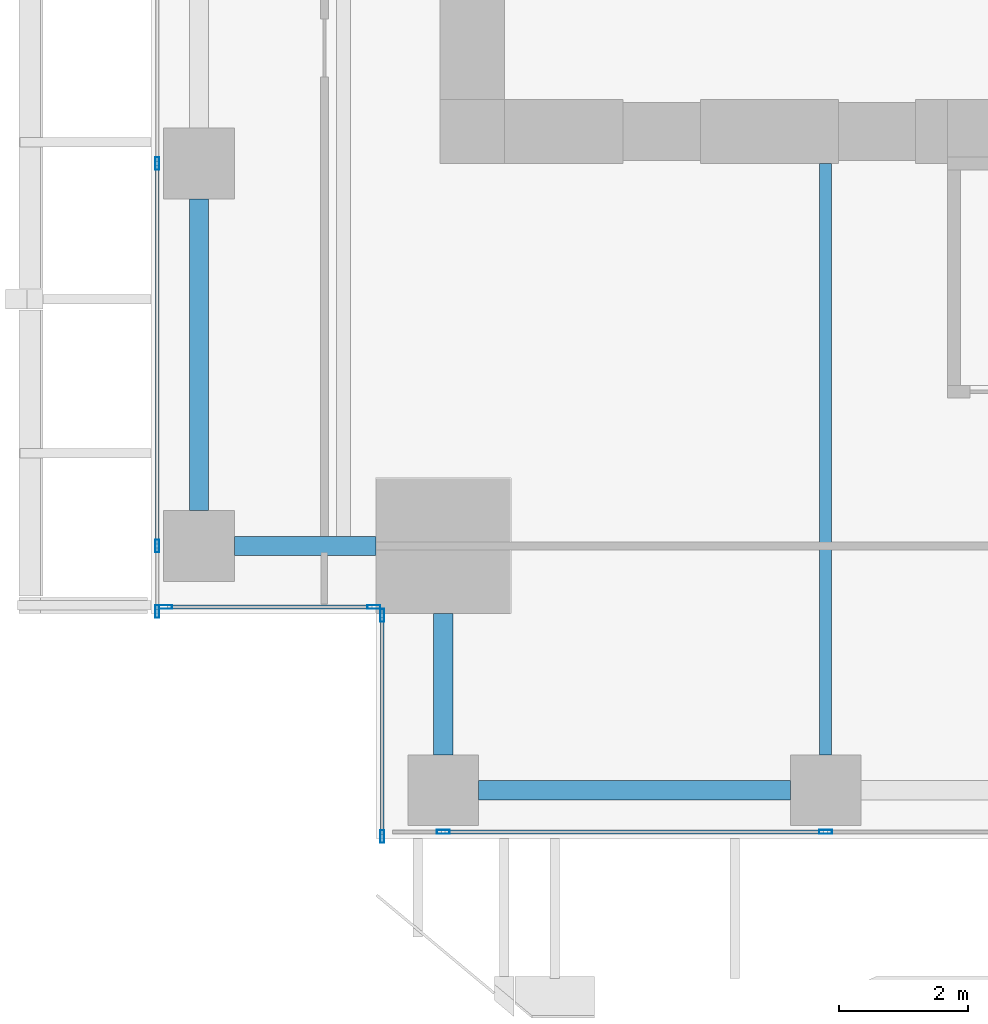
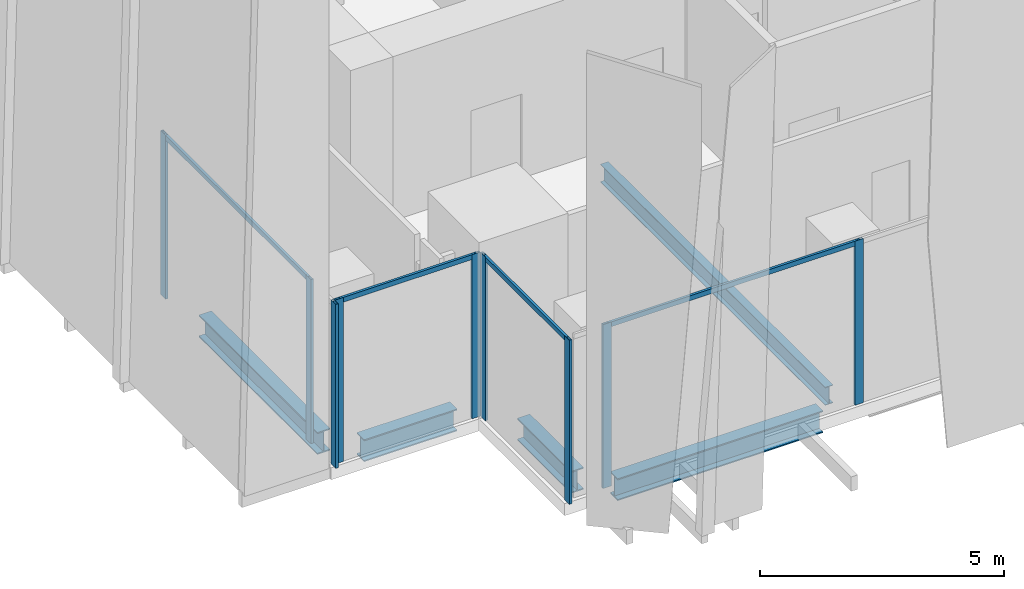
# One storey, part 2 of 35: 13 members, 5 beams, 4 elements without a shape of their own.
"""IFC4 building model written with IfcOpenShell, lengths in metres."""

import ifcopenshell
import ifcopenshell.guid

model = None  # the IFC model being written
_history = None  # IfcOwnerHistory: only IFC2X3 demands one
_inside = {}  # id of a spatial element -> (the spatial element, [elements in it])
_under = {}  # id of a project, library or spatial element -> (it, [spatial elements below it])
_declared = {}  # id of a project -> (the project, [libraries it declares])
_typed = {}  # id of a type object -> (the type object, [elements of that type])
_made_of = {}  # id of a material, layer set ... -> (it, [elements and type objects made of it])


def new_model(schema):
    """Start an empty IFC model of exactly this schema.

    Asked for "IFC4X3", IfcOpenShell would pick the latest addendum, in which some entities
    have other attributes; the version numbers below select the first issue.
    IFC2X3 requires an IfcOwnerHistory on every rooted entity: one is made here for all.
    """
    global model, _history
    if schema == "IFC4X3":
        model = ifcopenshell.file(schema_version=(4, 3, 0, 0))
    else:
        model = ifcopenshell.file(schema=schema)
    _inside.clear()
    _under.clear()
    _declared.clear()
    _typed.clear()
    _made_of.clear()
    _history = None
    if model.schema == "IFC2X3":
        org = make("IfcOrganization", Name="unknown")
        user = make(
            "IfcPersonAndOrganization",
            ThePerson=make("IfcPerson", FamilyName="unknown"),
            TheOrganization=org,
        )
        app = make(
            "IfcApplication",
            ApplicationDeveloper=org,
            Version="unknown",
            ApplicationFullName="unknown",
            ApplicationIdentifier="unknown",
        )
        _history = make(
            "IfcOwnerHistory",
            OwningUser=user,
            OwningApplication=app,
            ChangeAction="ADDED",
            CreationDate=0,
        )
    return model


def make(cls, **values):
    """One entity of the class cls with the attributes given. An attribute that is None is left unset."""
    return model.create_entity(
        cls, **{name: value for name, value in values.items() if value is not None}
    )


def rooted(cls, **values):
    """An entity with a GlobalId (a new one), such as an element, a storey or a relation."""
    return make(cls, GlobalId=ifcopenshell.guid.new(), OwnerHistory=_history, **values)


def si_unit(unit_type, name, prefix=None):
    """IfcSIUnit, for example si_unit("LENGTHUNIT", "METRE", prefix="MILLI")."""
    return make("IfcSIUnit", UnitType=unit_type, Prefix=prefix, Name=name)


def assignment(units):
    """IfcUnitAssignment: the units of a project."""
    return None if units is None else make("IfcUnitAssignment", Units=units)


def point(xyz):
    """IfcCartesianPoint."""
    return None if xyz is None else make("IfcCartesianPoint", Coordinates=xyz)


def direction(xyz):
    """IfcDirection."""
    return None if xyz is None else make("IfcDirection", DirectionRatios=xyz)


def frame(location, z_axis=None, x_axis=None):
    """IfcAxis2Placement3D, a coordinate frame: its origin and axes. An axis left out is left unset."""
    return make(
        "IfcAxis2Placement3D",
        Location=point(location),
        Axis=direction(z_axis),
        RefDirection=direction(x_axis),
    )


def frame_2d(location, x_axis=None):
    """IfcAxis2Placement2D, a coordinate frame in the plane: its origin and x axis."""
    return make(
        "IfcAxis2Placement2D", Location=point(location), RefDirection=direction(x_axis)
    )


def origin():
    """The frame at (0, 0, 0) with its axes left unset."""
    return frame((0.0, 0.0, 0.0))


def origin_2d():
    """The frame at (0, 0) in the plane with its x axis left unset."""
    return frame_2d((0.0, 0.0))


def place(relative_to, where):
    """IfcLocalPlacement: puts the frame where relative to a parent placement (None: the world)."""
    return make(
        "IfcLocalPlacement", PlacementRelTo=relative_to, RelativePlacement=where
    )


def context(
    kind, dimensions, precision=None, world=None, true_north=None, identifier=None
):
    """IfcGeometricRepresentationContext, for example the 3D "Model" context."""
    return make(
        "IfcGeometricRepresentationContext",
        ContextIdentifier=identifier,
        ContextType=kind,
        CoordinateSpaceDimension=dimensions,
        Precision=precision,
        WorldCoordinateSystem=world,
        TrueNorth=true_north,
    )


def subcontext(parent, identifier, kind, view, scale=None):
    """IfcGeometricRepresentationSubContext, for example "Body" below "Model"."""
    return make(
        "IfcGeometricRepresentationSubContext",
        ContextIdentifier=identifier,
        ContextType=kind,
        ParentContext=parent,
        TargetScale=scale,
        TargetView=view,
    )


def project(units=None, contexts=None):
    """IfcProject with its units and contexts."""
    return rooted(
        "IfcProject",
        Name="project",
        RepresentationContexts=contexts,
        UnitsInContext=assignment(units),
    )


def spatial(cls, under=None, at=None, **own):
    """A site, building, storey or space (cls), placed at a placement, below another one or the project."""
    s = rooted(cls, ObjectPlacement=at, **own)
    if under is not None:
        _under.setdefault(under.id(), (under, []))[1].append(s)
    return s


def profile(cls, at=None, kind="AREA", **sizes):
    """A parametric profile (cls). Its sizes go by their IFC names, for example OverallWidth=200.0."""
    return make(cls, ProfileType=kind, Position=at, **sizes)


def hollow_rectangle(**sizes):
    """IfcRectangleHollowProfileDef."""
    return profile("IfcRectangleHollowProfileDef", **sizes)


def i_section(**sizes):
    """IfcIShapeProfileDef."""
    return profile("IfcIShapeProfileDef", **sizes)


def extrude(swept, where, along, depth):
    """IfcExtrudedAreaSolid: the profile swept, set in the frame where, extruded along a direction by depth."""
    return make(
        "IfcExtrudedAreaSolid",
        SweptArea=swept,
        Position=where,
        ExtrudedDirection=direction(along),
        Depth=depth,
    )


def shape(context_of_items, identifier, shape_type, items):
    """IfcShapeRepresentation: the items that make up one representation, for example the "Body"."""
    return make(
        "IfcShapeRepresentation",
        ContextOfItems=context_of_items,
        RepresentationIdentifier=identifier,
        RepresentationType=shape_type,
        Items=items,
    )


def source(mapping_origin, context_of_items, identifier, shape_type, items):
    """IfcRepresentationMap: a shape defined once, which mapped items show again and again."""
    return make(
        "IfcRepresentationMap",
        MappingOrigin=mapping_origin,
        MappedRepresentation=shape(context_of_items, identifier, shape_type, items),
    )


def transform(
    local_origin,
    x_axis=None,
    y_axis=None,
    z_axis=None,
    scale=None,
    scale2=None,
    scale3=None,
    uniform=True,
):
    """IfcCartesianTransformationOperator3D, or its non-uniform kind. x_axis, y_axis, z_axis: its Axis1, 2, 3."""
    if uniform:
        return make(
            "IfcCartesianTransformationOperator3D",
            Axis1=direction(x_axis),
            Axis2=direction(y_axis),
            LocalOrigin=point(local_origin),
            Scale=scale,
            Axis3=direction(z_axis),
        )
    return make(
        "IfcCartesianTransformationOperator3DnonUniform",
        Axis1=direction(x_axis),
        Axis2=direction(y_axis),
        LocalOrigin=point(local_origin),
        Scale=scale,
        Axis3=direction(z_axis),
        Scale2=scale2,
        Scale3=scale3,
    )


def mapped(mapping_source, mapping_target):
    """IfcMappedItem: shows the shape of a source again, moved by a transform."""
    return make(
        "IfcMappedItem", MappingSource=mapping_source, MappingTarget=mapping_target
    )


def material(Name=None, Category=None):
    """IfcMaterial."""
    return make("IfcMaterial", Name=Name, Category=Category)


def material_profile(
    of_material, cross_section, Name=None, Category=None, Priority=None
):
    """IfcMaterialProfile: a cross section and its material."""
    return make(
        "IfcMaterialProfile",
        Name=Name,
        Material=of_material,
        Profile=cross_section,
        Priority=Priority,
        Category=Category,
    )


def profile_set(profiles, Name=None, composite=None):
    """IfcMaterialProfileSet."""
    return make(
        "IfcMaterialProfileSet",
        Name=Name,
        MaterialProfiles=profiles,
        CompositeProfile=composite,
    )


def made_of(thing, what):
    """Note that an element or type object is made of a material, layer set ...; save() writes the relation."""
    if what is not None:
        _made_of.setdefault(what.id(), (what, []))[1].append(thing)
    return thing


def type_object(cls, material=None, **own):
    """A type object (cls), such as IfcWallType, which elements share."""
    return made_of(rooted(cls, **own), material)


def element(
    cls,
    number,
    at=None,
    inside=None,
    cuts=None,
    type_object=None,
    material=None,
    context=None,
    identifier="Body",
    shape_type=None,
    held_by="IfcProductDefinitionShape",
    body=None,
    shapes=None,
    **own,
):
    """One element of the class cls, such as IfcWall. Its Tag is "e" and its number.

    at: its placement. inside: the storey or other place that contains it. cuts: it is an
    opening in that element (IfcRelVoidsElement). A single representation is given by context,
    identifier, shape_type and body (its items); several are given by shapes. held_by: the class
    of the entity that holds the representations. save() writes the other relations.
    """
    e = rooted(cls, Tag="e%d" % number, ObjectPlacement=at, **own)
    if body is not None:
        shapes = [shape(context, identifier, shape_type, body)]
    if shapes is not None:
        e.Representation = make(held_by, Representations=shapes)
    if inside is not None:
        _inside.setdefault(inside.id(), (inside, []))[1].append(e)
    if cuts is not None:
        rooted(
            "IfcRelVoidsElement", RelatingBuildingElement=cuts, RelatedOpeningElement=e
        )
    if type_object is not None:
        _typed.setdefault(type_object.id(), (type_object, []))[1].append(e)
    return made_of(e, material)


def aggregate(whole, parts):
    """IfcRelAggregates: a whole, such as a stair, and the parts it consists of."""
    return rooted("IfcRelAggregates", RelatingObject=whole, RelatedObjects=parts)


def save(model, path):
    """Write the relations noted so far, then the file.

    IfcRelAggregates (storeys below a building ...), IfcRelContainedInSpatialStructure (elements
    in a storey), IfcRelDefinesByType, IfcRelAssociatesMaterial and IfcRelDeclares: one each for
    every whole, place, type object, material and project.
    """
    for whole, parts in _under.values():
        aggregate(whole, parts)
    for where, things in _inside.values():
        rooted(
            "IfcRelContainedInSpatialStructure",
            RelatedElements=things,
            RelatingStructure=where,
        )
    for kind, things in _typed.values():
        rooted("IfcRelDefinesByType", RelatedObjects=things, RelatingType=kind)
    for what, things in _made_of.values():
        rooted("IfcRelAssociatesMaterial", RelatedObjects=things, RelatingMaterial=what)
    for by, libraries in _declared.values():
        rooted("IfcRelDeclares", RelatingContext=by, RelatedDefinitions=libraries)
    model.write(path)


model = new_model("IFC4")

# Units and contexts
model_context = context("Model", 3, precision=1e-05, world=origin(), true_north=direction((0.0, 1.0)))
body_context = subcontext(model_context, "Body", "Model", "MODEL_VIEW")
ifc_project = project(units=[si_unit("LENGTHUNIT", "METRE"), si_unit("AREAUNIT", "SQUARE_METRE"), si_unit("VOLUMEUNIT", "CUBIC_METRE"), si_unit("PLANEANGLEUNIT", "RADIAN"), si_unit("MASSUNIT", "GRAM", prefix="KILO")], contexts=[model_context])

# Site, building, storey
site_placement = place(None, origin())
site = spatial("IfcSite", under=ifc_project, at=site_placement, CompositionType="ELEMENT")
building_placement = place(site_placement, origin())
building = spatial("IfcBuilding", under=site, at=building_placement, Name="Khomas Fold Tower", CompositionType="ELEMENT")
storey_placement = place(building_placement, frame((0.0, 0.0, 127.89990234375)))
storey = spatial("IfcBuildingStorey", under=building, at=storey_placement, Name="L27", CompositionType="ELEMENT", Elevation=127.89990234375)

# Beams
ifc_material_1 = material(Name="Steel S355", Category="steel")
ifc_material_profile_1 = material_profile(ifc_material_1, i_section(OverallWidth=0.300048828125, OverallDepth=0.550048828125, WebThickness=0.014892578125, FlangeThickness=0.029052734375, at=origin_2d()), Name="HE 550 B")
ifc_profile_set_1 = profile_set([ifc_material_profile_1], Name="Steel S355")
beam_type_1 = type_object("IfcBeamType", Name="HE 550 B spandrel SB2", PredefinedType="SPANDREL", material=ifc_profile_set_1)
shared_shape_1 = source(origin(), body_context, "Body", "SweptSolid", [
    extrude(i_section(OverallWidth=0.300048828125, OverallDepth=0.550048828125, WebThickness=0.014892578125, FlangeThickness=0.029052734375, at=origin_2d()), origin(), (0.0, 0.0, 1.0), 4.849853515625),
])
for number, where, z_axis, x_axis, name in (
    (1, (6.60009765625, 2.25, -0.574951171875), (1.0, 0.0, 0.0), (0.0, 1.0, 0.0), "SB2"),
    (2, (2.25, 6.60009765625, -0.574951171875), (0.0, 1.0, 0.0), (-1.0, 0.0, 0.0), "SB2"),
):
    element("IfcBeam", number, at=place(storey_placement, frame(where, z_axis=z_axis, x_axis=x_axis)), inside=storey, type_object=beam_type_1, Name=name, PredefinedType="SPANDREL", context=body_context, shape_type="MappedRepresentation", body=[
        mapped(shared_shape_1, transform((0.0, 0.0, 0.0))),
    ])
shared_shape_2 = source(origin(), body_context, "Body", "SweptSolid", [
    extrude(i_section(OverallWidth=0.300048828125, OverallDepth=0.550048828125, WebThickness=0.014892578125, FlangeThickness=0.029052734375, at=origin_2d()), origin(), (0.0, 0.0, 1.0), 2.199951171875),
])
for number, where, z_axis, x_axis, name in (
    (3, (2.800048828125, 6.050048828125, -0.574951171875), (1.0, 0.0, 0.0), (0.0, 1.0, 0.0), "SB2"),
    (4, (6.050048828125, 2.800048828125, -0.574951171875), (0.0, 1.0, 0.0), (-1.0, 0.0, 0.0), "SB2"),
):
    element("IfcBeam", number, at=place(storey_placement, frame(where, z_axis=z_axis, x_axis=x_axis)), inside=storey, type_object=beam_type_1, Name=name, PredefinedType="SPANDREL", context=body_context, shape_type="MappedRepresentation", body=[
        mapped(shared_shape_2, transform((0.0, 0.0, 0.0))),
    ])
ifc_material_2 = material(Name="Steel S355", Category="steel")
ifc_material_profile_2 = material_profile(ifc_material_2, i_section(OverallWidth=0.18994140625, OverallDepth=0.449951171875, WebThickness=0.009521484375, FlangeThickness=0.0146484375, at=origin_2d()), Name="IPE 450")
ifc_profile_set_2 = profile_set([ifc_material_profile_2], Name="Steel S355")
beam_type_2 = type_object("IfcBeamType", Name="IPE 450 beam JB4", PredefinedType="BEAM", material=ifc_profile_set_2)
shared_shape_3 = source(origin(), body_context, "Body", "SweptSolid", [
    extrude(i_section(OverallWidth=0.18994140625, OverallDepth=0.449951171875, WebThickness=0.009521484375, FlangeThickness=0.0146484375, at=origin_2d()), origin(), (0.0, 0.0, 1.0), 9.199951171875),
])
beam_placement = place(storey_placement, frame((12.0, 2.800048828125, -0.52490234375), z_axis=(0.0, 1.0, 0.0), x_axis=(-1.0, 0.0, 0.0)))
element("IfcBeam", 5, at=beam_placement, inside=storey, type_object=beam_type_2, Name="JB4", PredefinedType="BEAM", context=body_context, shape_type="MappedRepresentation", body=[
    mapped(shared_shape_3, transform((0.0, 0.0, 0.0))),
])

# Curtain wall, members
ifc_material_3 = material(Name="Aluminium framed double glazing", Category="aluminium")
curtain_wall_type = type_object("IfcCurtainWallType", Name="SK-Unitised clear-glass wall, growing floors CW1", PredefinedType="NOTDEFINED", material=ifc_material_3)
curtain_wall_1_placement = place(storey_placement, origin())
curtain_wall_1 = element("IfcCurtainWall", 6, at=curtain_wall_1_placement, inside=storey, type_object=curtain_wall_type, Name="CW1 run L27 00-0", PredefinedType="NOTDEFINED")
ifc_material_4 = material(Name="Aluminium", Category="aluminium")
ifc_material_profile_3 = material_profile(ifc_material_4, hollow_rectangle(XDim=0.06005859375, YDim=0.199951171875, WallThickness=0.00390625, at=origin_2d()), Name="SK-Unitised clear-glass wall, growing floors mullion CW1-M")
ifc_profile_set_3 = profile_set([ifc_material_profile_3], Name="Aluminium")
member_type_1 = type_object("IfcMemberType", Name="SK-Unitised clear-glass wall, growing floors mullion CW1-M", PredefinedType="MULLION", material=ifc_profile_set_3)
shared_shape_4 = source(origin(), body_context, "Body", "SweptSolid", [
    extrude(hollow_rectangle(XDim=0.06005859375, YDim=0.199951171875, WallThickness=0.00390625, at=origin_2d()), origin(), (0.0, 0.0, 1.0), 4.10009765625),
])
member_1_placement = place(storey_placement, frame((6.050048828125, 1.60009765625, 0.0), z_axis=(0.0, 0.0, 1.0), x_axis=(0.0, 1.0, 0.0)))
member_1 = element("IfcMember", 7, at=member_1_placement, type_object=member_type_1, Name="CW1 mullion 2", PredefinedType="MULLION", context=body_context, shape_type="MappedRepresentation", body=[
    mapped(shared_shape_4, transform((0.0, 0.0, 0.0))),
])
member_2_placement = place(storey_placement, frame((12.0, 1.60009765625, 0.0), z_axis=(0.0, 0.0, 1.0), x_axis=(0.0, 1.0, 0.0)))
member_2 = element("IfcMember", 8, at=member_2_placement, type_object=member_type_1, Name="CW1 mullion 3", PredefinedType="MULLION", context=body_context, shape_type="MappedRepresentation", body=[
    mapped(shared_shape_4, transform((0.0, 0.0, 0.0))),
])

curtain_wall_2_placement = place(storey_placement, origin())
curtain_wall_2 = element("IfcCurtainWall", 9, at=curtain_wall_2_placement, inside=storey, type_object=curtain_wall_type, Name="CW1 run L27 09-1", PredefinedType="NOTDEFINED")
member_3_placement = place(storey_placement, frame((1.60009765625, 12.0, 0.0), z_axis=(0.0, 0.0, 1.0), x_axis=(1.0, 0.0, 0.0)))
member_3 = element("IfcMember", 10, at=member_3_placement, type_object=member_type_1, Name="CW1 mullion 4", PredefinedType="MULLION", context=body_context, shape_type="MappedRepresentation", body=[
    mapped(shared_shape_4, transform((0.0, 0.0, 0.0))),
])
member_4_placement = place(storey_placement, frame((1.60009765625, 6.050048828125, 0.0), z_axis=(0.0, 0.0, 1.0), x_axis=(1.0, 0.0, 0.0)))
member_4 = element("IfcMember", 11, at=member_4_placement, type_object=member_type_1, Name="CW1 mullion 5", PredefinedType="MULLION", context=body_context, shape_type="MappedRepresentation", body=[
    mapped(shared_shape_4, transform((0.0, 0.0, 0.0))),
])
member_5_placement = place(storey_placement, frame((1.60009765625, 5.030029296875, 0.0), z_axis=(0.0, 0.0, 1.0), x_axis=(1.0, 0.0, 0.0)))
member_5 = element("IfcMember", 12, at=member_5_placement, type_object=member_type_1, Name="CW1 mullion 6", PredefinedType="MULLION", context=body_context, shape_type="MappedRepresentation", body=[
    mapped(shared_shape_4, transform((0.0, 0.0, 0.0))),
])

curtain_wall_3_placement = place(storey_placement, origin())
curtain_wall_3 = element("IfcCurtainWall", 13, at=curtain_wall_3_placement, inside=storey, type_object=curtain_wall_type, Name="CW1 corner return L27 10", PredefinedType="NOTDEFINED")
member_6_placement = place(storey_placement, frame((1.72998046875, 5.10009765625, 0.0), z_axis=(0.0, 0.0, 1.0), x_axis=(0.0, 1.0, 0.0)))
member_6 = element("IfcMember", 14, at=member_6_placement, type_object=member_type_1, Name="CW1 mullion 1", PredefinedType="MULLION", context=body_context, shape_type="MappedRepresentation", body=[
    mapped(shared_shape_4, transform((0.0, 0.0, 0.0))),
])
member_7_placement = place(storey_placement, frame((4.969970703125, 5.10009765625, 0.0), z_axis=(0.0, 0.0, 1.0), x_axis=(0.0, 1.0, 0.0)))
member_7 = element("IfcMember", 15, at=member_7_placement, type_object=member_type_1, Name="CW1 mullion 2", PredefinedType="MULLION", context=body_context, shape_type="MappedRepresentation", body=[
    mapped(shared_shape_4, transform((0.0, 0.0, 0.0))),
])

curtain_wall_4_placement = place(storey_placement, origin())
curtain_wall_4 = element("IfcCurtainWall", 16, at=curtain_wall_4_placement, inside=storey, type_object=curtain_wall_type, Name="CW1 corner return L27 11", PredefinedType="NOTDEFINED")
member_8_placement = place(storey_placement, frame((5.10009765625, 4.969970703125, 0.0), z_axis=(0.0, 0.0, 1.0), x_axis=(1.0, 0.0, 0.0)))
member_8 = element("IfcMember", 17, at=member_8_placement, type_object=member_type_1, Name="CW1 mullion 1", PredefinedType="MULLION", context=body_context, shape_type="MappedRepresentation", body=[
    mapped(shared_shape_4, transform((0.0, 0.0, 0.0))),
])
member_9_placement = place(storey_placement, frame((5.10009765625, 1.530029296875, 0.0), z_axis=(0.0, 0.0, 1.0), x_axis=(1.0, 0.0, 0.0)))
member_9 = element("IfcMember", 18, at=member_9_placement, type_object=member_type_1, Name="CW1 mullion 2", PredefinedType="MULLION", context=body_context, shape_type="MappedRepresentation", body=[
    mapped(shared_shape_4, transform((0.0, 0.0, 0.0))),
])

# Member
ifc_material_5 = material(Name="Aluminium", Category="aluminium")
ifc_material_profile_4 = material_profile(ifc_material_5, hollow_rectangle(XDim=0.06005859375, YDim=0.1201171875, WallThickness=0.00390625, at=origin_2d()), Name="SK-Unitised clear-glass wall, growing floors transom CW1-T")
ifc_profile_set_4 = profile_set([ifc_material_profile_4], Name="Aluminium")
member_type_2 = type_object("IfcMemberType", Name="SK-Unitised clear-glass wall, growing floors transom CW1-T", PredefinedType="USERDEFINED", material=ifc_profile_set_4)
shared_shape_5 = source(origin(), body_context, "Body", "SweptSolid", [
    extrude(hollow_rectangle(XDim=0.06005859375, YDim=0.1201171875, WallThickness=0.00390625, at=origin_2d()), origin(), (0.0, 0.0, 1.0), 5.889892578125),
])
member_10_placement = place(storey_placement, frame((6.080078125, 1.60009765625, 4.0400390625), z_axis=(1.0, 0.0, 0.0), x_axis=(0.0, 1.0, 0.0)))
member_10 = element("IfcMember", 19, at=member_10_placement, type_object=member_type_2, Name="CW1 transom 2", ObjectType="TRANSOM", PredefinedType="USERDEFINED", context=body_context, shape_type="MappedRepresentation", body=[
    mapped(shared_shape_5, transform((0.0, 0.0, 0.0))),
])

aggregate(curtain_wall_1, [member_1, member_2, member_10])

member_11_placement = place(storey_placement, frame((1.60009765625, 11.969970703125, 4.0400390625), z_axis=(0.0, -1.0, 0.0), x_axis=(1.0, 0.0, 0.0)))
member_11 = element("IfcMember", 20, at=member_11_placement, type_object=member_type_2, Name="CW1 transom 4", ObjectType="TRANSOM", PredefinedType="USERDEFINED", context=body_context, shape_type="MappedRepresentation", body=[
    mapped(shared_shape_5, transform((0.0, 0.0, 0.0))),
])

aggregate(curtain_wall_2, [member_3, member_4, member_5, member_11])

shared_shape_6 = source(origin(), body_context, "Body", "SweptSolid", [
    extrude(hollow_rectangle(XDim=0.06005859375, YDim=0.1201171875, WallThickness=0.00390625, at=origin_2d()), origin(), (0.0, 0.0, 1.0), 3.179931640625),
])
member_12_placement = place(storey_placement, frame((1.760009765625, 5.10009765625, 4.0400390625), z_axis=(1.0, 0.0, 0.0), x_axis=(0.0, 1.0, 0.0)))
member_12 = element("IfcMember", 21, at=member_12_placement, type_object=member_type_2, Name="CW1 transom 1", ObjectType="TRANSOM", PredefinedType="USERDEFINED", context=body_context, shape_type="MappedRepresentation", body=[
    mapped(shared_shape_6, transform((0.0, 0.0, 0.0))),
])

aggregate(curtain_wall_3, [member_6, member_7, member_12])

shared_shape_7 = source(origin(), body_context, "Body", "SweptSolid", [
    extrude(hollow_rectangle(XDim=0.06005859375, YDim=0.1201171875, WallThickness=0.00390625, at=origin_2d()), origin(), (0.0, 0.0, 1.0), 3.3798828125),
])
member_13_placement = place(storey_placement, frame((5.10009765625, 4.93994140625, 4.0400390625), z_axis=(0.0, -1.0, 0.0), x_axis=(1.0, 0.0, 0.0)))
member_13 = element("IfcMember", 22, at=member_13_placement, type_object=member_type_2, Name="CW1 transom 1", ObjectType="TRANSOM", PredefinedType="USERDEFINED", context=body_context, shape_type="MappedRepresentation", body=[
    mapped(shared_shape_7, transform((0.0, 0.0, 0.0))),
])

aggregate(curtain_wall_4, [member_8, member_9, member_13])

save(model, "model.ifc")
